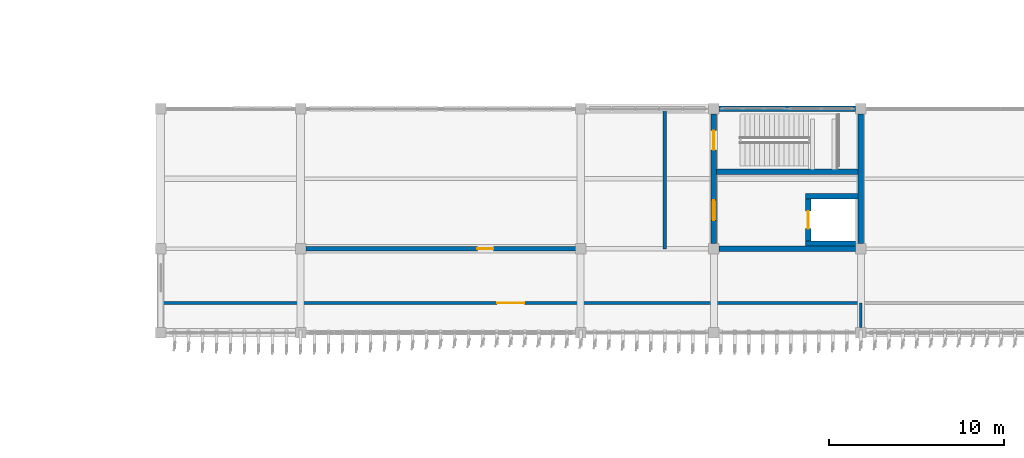
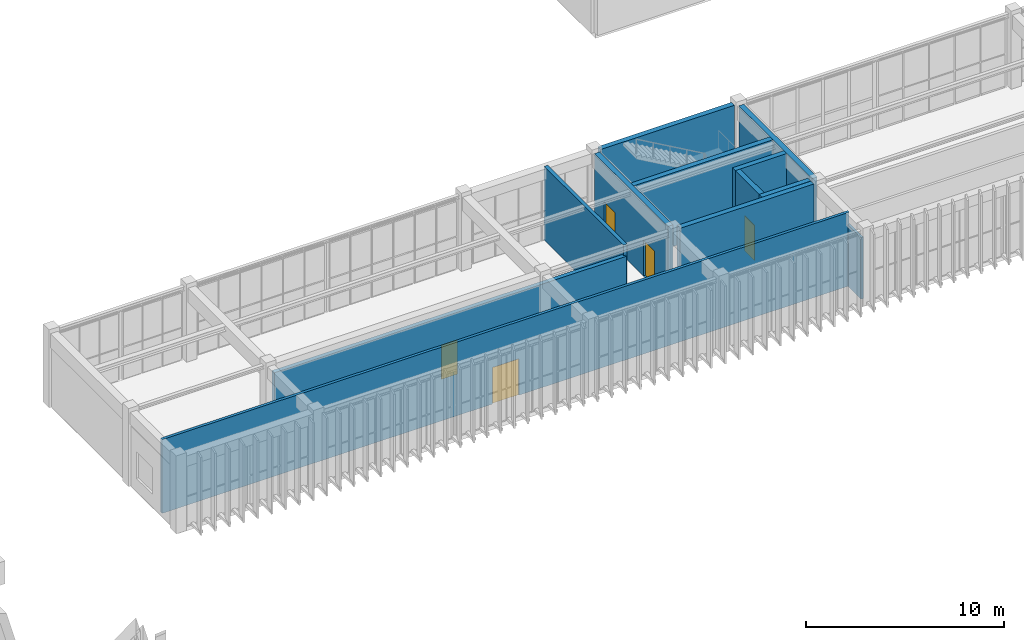
# One storey, part 41 of 64: 12 walls, 5 doors, 5 openings.
"""IFC4 building model written with IfcOpenShell, lengths in metres."""

from ifc_helpers import new_model, si_unit, direction, frame, frame_2d, origin, place, context, subcontext, project, spatial, rectangle, extrude, material, layer, layer_set, type_object, element, fill, save


model = new_model("IFC4")

# Units and contexts
model_context = context("Model", 3, precision=1e-05, world=origin(), true_north=direction((0.0, 1.0)))
body_context = subcontext(model_context, "Body", "Model", "MODEL_VIEW")
ifc_project = project(units=[si_unit("LENGTHUNIT", "METRE"), si_unit("AREAUNIT", "SQUARE_METRE"), si_unit("VOLUMEUNIT", "CUBIC_METRE"), si_unit("PLANEANGLEUNIT", "RADIAN"), si_unit("MASSUNIT", "GRAM", prefix="KILO")], contexts=[model_context])

# Site, building, storey
site_placement = place(None, origin())
site = spatial("IfcSite", under=ifc_project, at=site_placement, CompositionType="ELEMENT")
building_placement = place(site_placement, origin())
building = spatial("IfcBuilding", under=site, at=building_placement, Name="Cinchona Park Media Centre", CompositionType="ELEMENT")
storey_placement = place(building_placement, frame((0.0, 0.0, 5.39990234375)))
storey = spatial("IfcBuildingStorey", under=building, at=storey_placement, Name="L01", CompositionType="ELEMENT", Elevation=5.39990234375)

# Wall
ifc_material_1 = material(Name="Acoustic Double-Stud Gypsum Partition", Category="gypsum")
ifc_layer_1 = layer(ifc_material_1, 0.2099609375)
ifc_layer_set_1 = layer_set([ifc_layer_1], Name="Acoustic Double-Stud Gypsum Partition")
wall_type_1 = type_object("IfcWallType", Name="WALL-W-AC210", PredefinedType="PARTITIONING", material=ifc_layer_set_1)
wall_1_placement = place(storey_placement, frame((83.60009765625, 79.60009765625, 0.0), z_axis=(0.0, 0.0, 1.0), x_axis=(0.0, 1.0, 0.0)))
element("IfcWall", 1, at=wall_1_placement, inside=storey, type_object=wall_type_1, Name="Interior Wall W-AC210 L01", PredefinedType="PARTITIONING", context=body_context, shape_type="SweptSolid", body=[
    extrude(rectangle(XDim=8.0, YDim=0.2099609375, at=frame_2d((4.0, 0.0))), origin(), (0.0, 0.0, 1.0), 4.5400390625),
])

# Wall, opening, door
ifc_material_2 = material(Name="Acoustic Double-Stud Gypsum Partition", Category="gypsum")
ifc_layer_2 = layer(ifc_material_2, 0.239990234375)
ifc_layer_set_2 = layer_set([ifc_layer_2], Name="Acoustic Double-Stud Gypsum Partition")
wall_type_2 = type_object("IfcWallType", Name="WALL-W-AC240", PredefinedType="PARTITIONING", material=ifc_layer_set_2)
wall_2_placement = place(storey_placement, frame((63.10205078125, 79.60009765625, 0.0), z_axis=(0.0, 0.0, 1.0), x_axis=(1.0, 0.0, 0.0)))
wall_2 = element("IfcWall", 2, at=wall_2_placement, inside=storey, type_object=wall_type_2, Name="Interior Wall W-AC240 L01", PredefinedType="PARTITIONING", context=body_context, shape_type="SweptSolid", body=[
    extrude(rectangle(XDim=20.498046875, YDim=0.239990234375, at=frame_2d((10.2490234375, 0.0))), origin(), (0.0, 0.0, 1.0), 3.89013671875),
])
opening_1_placement = place(wall_2_placement, frame((9.7890625, 0.0, 0.0)))
opening_1 = element("IfcOpeningElement", 3, at=opening_1_placement, cuts=wall_2, Name="Opening D243", PredefinedType="OPENING", context=body_context, shape_type="SweptSolid", body=[
    extrude(rectangle(XDim=0.919921875, YDim=2.10009765625, at=frame_2d((0.4599609375, 1.050048828125))), frame((0.0, 0.1298828125, 0.0), z_axis=(0.0, -1.0, 0.0), x_axis=(1.0, 0.0, 0.0)), (0.0, 0.0, 1.0), 0.260009765625),
])
ifc_material_3 = material(Name="Solid-Core Timber Acoustic Door", Category="wood")
door_type_1 = type_object("IfcDoorType", Name="DOOR-DT01", OperationType="NOTDEFINED", PredefinedType="DOOR", material=ifc_material_3)
door_1_placement = place(opening_1_placement, origin())
door_1 = element("IfcDoor", 4, at=door_1_placement, inside=storey, type_object=door_type_1, Name="Interior Door D243", OperationType="SINGLE_SWING_LEFT", OverallHeight=2.10009765625, OverallWidth=0.919921875, PredefinedType="DOOR", context=body_context, shape_type="SweptSolid", body=[
    extrude(rectangle(XDim=0.919921875, YDim=2.10009765625, at=frame_2d((0.4599609375, 1.050048828125))), frame((0.0, 0.02490234375, 0.0), z_axis=(0.0, -1.0, 0.0), x_axis=(1.0, 0.0, 0.0)), (0.0, 0.0, 1.0), 0.050048828125),
])
fill(opening_1, door_1)

# Walls
ifc_material_4 = material(Name="Concrete C40/50", Category="concrete")
ifc_layer_3 = layer(ifc_material_4, 0.300048828125)
ifc_layer_set_3 = layer_set([ifc_layer_3], Name="Concrete C40/50")
wall_type_3 = type_object("IfcWallType", Name="WALL-W-CR300", PredefinedType="SHEAR", material=ifc_layer_set_3)
for number, where, z_axis, x_axis, name in (
    (5, (86.701904296875, 79.60009765625, 0.0), (0.0, 0.0, 1.0), (1.0, 0.0, 0.0), "Core Shear Wall W-CR300 L01"),
    (6, (86.701904296875, 87.60009765625, 0.0), (0.0, 0.0, 1.0), (1.0, 0.0, 0.0), "Core Shear Wall W-CR300 L01"),
):
    element("IfcWall", number, at=place(storey_placement, frame(where, z_axis=z_axis, x_axis=x_axis)), inside=storey, type_object=wall_type_3, Name=name, PredefinedType="SHEAR", context=body_context, shape_type="SweptSolid", body=[
        extrude(rectangle(XDim=7.796142578125, YDim=0.300048828125, at=frame_2d((3.89794921875, 0.0))), origin(), (0.0, 0.0, 1.0), 4.5400390625),
    ])

# Wall, openings, doors
wall_3_placement = place(storey_placement, frame((86.39990234375, 79.902099609375, 0.0), z_axis=(0.0, 0.0, 1.0), x_axis=(0.0, 1.0, 0.0)))
wall_3 = element("IfcWall", 7, at=wall_3_placement, inside=storey, type_object=wall_type_3, Name="Core Shear Wall W-CR300 L01", PredefinedType="SHEAR", context=body_context, shape_type="SweptSolid", body=[
    extrude(rectangle(XDim=7.39599609375, YDim=0.300048828125, at=frame_2d((3.697998046875, 0.0))), origin(), (0.0, 0.0, 1.0), 4.5400390625),
])
opening_2_placement = place(wall_3_placement, frame((5.347900390625, 0.0, 0.0)))
opening_2 = element("IfcOpeningElement", 8, at=opening_2_placement, cuts=wall_3, Name="Opening D068", PredefinedType="OPENING", context=body_context, shape_type="SweptSolid", body=[
    extrude(rectangle(XDim=1.10009765625, YDim=2.14990234375, at=frame_2d((0.550048828125, 1.074951171875))), frame((0.0, 0.159912109375, 0.0), z_axis=(0.0, -1.0, 0.0), x_axis=(1.0, 0.0, 0.0)), (0.0, 0.0, 1.0), 0.320068359375),
])
opening_3_placement = place(wall_3_placement, frame((1.322998046875, 0.0, 0.0)))
opening_3 = element("IfcOpeningElement", 9, at=opening_3_placement, cuts=wall_3, Name="Opening D069", PredefinedType="OPENING", context=body_context, shape_type="SweptSolid", body=[
    extrude(rectangle(XDim=1.14990234375, YDim=2.199951171875, at=frame_2d((0.574951171875, 1.10009765625))), frame((0.0, 0.159912109375, 0.0), z_axis=(0.0, -1.0, 0.0), x_axis=(1.0, 0.0, 0.0)), (0.0, 0.0, 1.0), 0.320068359375),
])
ifc_material_5 = material(Name="Insulated Fire-Rated Steel Door", Category="steel")
door_type_2 = type_object("IfcDoorType", Name="DOOR-DT-FF", OperationType="NOTDEFINED", PredefinedType="DOOR", material=ifc_material_5)
door_2_placement = place(opening_3_placement, origin())
door_2 = element("IfcDoor", 10, at=door_2_placement, inside=storey, type_object=door_type_2, Name="Interior Door D069", OperationType="SINGLE_SWING_LEFT", OverallHeight=2.199951171875, OverallWidth=1.14990234375, PredefinedType="DOOR", context=body_context, shape_type="SweptSolid", body=[
    extrude(rectangle(XDim=1.14990234375, YDim=2.199951171875, at=frame_2d((0.574951171875, 1.10009765625))), frame((0.0, 0.02490234375, 0.0), z_axis=(0.0, -1.0, 0.0), x_axis=(1.0, 0.0, 0.0)), (0.0, 0.0, 1.0), 0.050048828125),
])
fill(opening_3, door_2)
ifc_material_6 = material(Name="Insulated Fire-Rated Steel Door", Category="steel")
door_type_3 = type_object("IfcDoorType", Name="DOOR-DT-ST", OperationType="NOTDEFINED", PredefinedType="DOOR", material=ifc_material_6)
door_3_placement = place(opening_2_placement, origin())
door_3 = element("IfcDoor", 11, at=door_3_placement, inside=storey, type_object=door_type_3, Name="Interior Door D068", OperationType="SINGLE_SWING_RIGHT", OverallHeight=2.14990234375, OverallWidth=1.10009765625, PredefinedType="DOOR", context=body_context, shape_type="SweptSolid", body=[
    extrude(rectangle(XDim=1.10009765625, YDim=2.14990234375, at=frame_2d((0.550048828125, 1.074951171875))), frame((0.0, 0.02490234375, 0.0), z_axis=(0.0, -1.0, 0.0), x_axis=(1.0, 0.0, 0.0)), (0.0, 0.0, 1.0), 0.050048828125),
])
fill(opening_2, door_3)

# Walls
wall_4_placement = place(storey_placement, frame((94.800048828125, 79.902099609375, 0.0), z_axis=(0.0, 0.0, 1.0), x_axis=(0.0, 1.0, 0.0)))
element("IfcWall", 12, at=wall_4_placement, inside=storey, type_object=wall_type_3, Name="Core Shear Wall W-CR300 L01", PredefinedType="SHEAR", context=body_context, shape_type="SweptSolid", body=[
    extrude(rectangle(XDim=7.39599609375, YDim=0.300048828125, at=frame_2d((3.697998046875, 0.0))), origin(), (0.0, 0.0, 1.0), 4.5400390625),
])
wall_5_placement = place(storey_placement, frame((86.550048828125, 84.0, 0.0), z_axis=(0.0, 0.0, 1.0), x_axis=(1.0, 0.0, 0.0)))
element("IfcWall", 13, at=wall_5_placement, inside=storey, type_object=wall_type_3, Name="Core Shear Wall W-CR300 L01", PredefinedType="SHEAR", context=body_context, shape_type="SweptSolid", body=[
    extrude(rectangle(XDim=8.099853515625, YDim=0.300048828125, at=frame_2d((4.0498046875, 0.0))), origin(), (0.0, 0.0, 1.0), 4.5400390625),
])
ifc_material_7 = material(Name="Gypsum Metal-Stud Partition", Category="gypsum")
ifc_layer_4 = layer(ifc_material_7, 0.135009765625)
ifc_layer_set_4 = layer_set([ifc_layer_4], Name="Gypsum Metal-Stud Partition")
wall_type_4 = type_object("IfcWallType", Name="WALL-W-PT135", PredefinedType="PARTITIONING", material=ifc_layer_set_4)
wall_6_placement = place(storey_placement, frame((94.800048828125, 76.5, 0.0), z_axis=(0.0, 0.0, 1.0), x_axis=(0.0, -1.0, 0.0)))
element("IfcWall", 14, at=wall_6_placement, inside=storey, type_object=wall_type_4, Name="Interior Wall W-PT135 L01", PredefinedType="PARTITIONING", context=body_context, shape_type="SweptSolid", body=[
    extrude(rectangle(XDim=1.39794921875, YDim=0.135009765625, at=frame_2d((0.698974609375, 0.0))), origin(), (0.0, 0.0, 1.0), 3.7900390625),
])

# Wall, opening, door
ifc_material_8 = material(Name="Fire-Rated Gypsum Stud Partition", Category="gypsum")
ifc_layer_5 = layer(ifc_material_8, 0.1650390625)
ifc_layer_set_5 = layer_set([ifc_layer_5], Name="Fire-Rated Gypsum Stud Partition")
wall_type_5 = type_object("IfcWallType", Name="WALL-W-PT165", PredefinedType="PARTITIONING", material=ifc_layer_set_5)
wall_7_placement = place(storey_placement, frame((94.800048828125, 76.5, 0.0), z_axis=(0.0, 0.0, 1.0), x_axis=(-1.0, 0.0, 0.0)))
wall_7 = element("IfcWall", 15, at=wall_7_placement, inside=storey, type_object=wall_type_5, Name="Interior Wall W-PT165 L01", PredefinedType="PARTITIONING", context=body_context, shape_type="SweptSolid", body=[
    extrude(rectangle(XDim=40.0, YDim=0.1650390625, at=frame_2d((20.0, 0.0))), origin(), (0.0, 0.0, 1.0), 4.5400390625),
])
opening_4_placement = place(wall_7_placement, frame((19.22509765625, 0.0, 0.0)))
opening_4 = element("IfcOpeningElement", 16, at=opening_4_placement, cuts=wall_7, Name="Opening D241", PredefinedType="OPENING", context=body_context, shape_type="SweptSolid", body=[
    extrude(rectangle(XDim=1.550048828125, YDim=2.25, at=frame_2d((0.77490234375, 1.125))), frame((0.0, 0.092529296875, 0.0), z_axis=(0.0, -1.0, 0.0), x_axis=(1.0, 0.0, 0.0)), (0.0, 0.0, 1.0), 0.18505859375),
])
ifc_material_9 = material(Name="Solid-Core Timber Acoustic Door", Category="wood")
door_type_4 = type_object("IfcDoorType", Name="DOOR-DT16", OperationType="NOTDEFINED", PredefinedType="DOOR", material=ifc_material_9)
door_4_placement = place(opening_4_placement, origin())
door_4 = element("IfcDoor", 17, at=door_4_placement, inside=storey, type_object=door_type_4, Name="Interior Door D241", OperationType="SINGLE_SWING_LEFT", OverallHeight=2.25, OverallWidth=1.550048828125, PredefinedType="DOOR", context=body_context, shape_type="SweptSolid", body=[
    extrude(rectangle(XDim=1.550048828125, YDim=2.25, at=frame_2d((0.77490234375, 1.125))), frame((0.0, 0.02490234375, 0.0), z_axis=(0.0, -1.0, 0.0), x_axis=(1.0, 0.0, 0.0)), (0.0, 0.0, 1.0), 0.050048828125),
])
fill(opening_4, door_4)

# Walls
ifc_material_10 = material(Name="Concrete C40/50", Category="concrete")
ifc_layer_6 = layer(ifc_material_10, 0.2900390625)
ifc_layer_set_6 = layer_set([ifc_layer_6], Name="Concrete C40/50")
wall_type_6 = type_object("IfcWallType", Name="WALL-W-SH290", PredefinedType="SHEAR", material=ifc_layer_set_6)
wall_8_placement = place(storey_placement, frame((91.655029296875, 79.89990234375, 0.0), z_axis=(0.0, 0.0, 1.0), x_axis=(1.0, 0.0, 0.0)))
element("IfcWall", 18, at=wall_8_placement, inside=storey, type_object=wall_type_6, Name="Core Shear Wall W-SH290 L01", PredefinedType="SHEAR", context=body_context, shape_type="SweptSolid", body=[
    extrude(rectangle(XDim=2.843017578125, YDim=0.2900390625, at=frame_2d((1.42138671875, 0.0))), origin(), (0.0, 0.0, 1.0), 4.5400390625),
])
wall_9_placement = place(storey_placement, frame((91.655029296875, 82.60009765625, 0.0), z_axis=(0.0, 0.0, 1.0), x_axis=(1.0, 0.0, 0.0)))
element("IfcWall", 19, at=wall_9_placement, inside=storey, type_object=wall_type_6, Name="Core Shear Wall W-SH290 L01", PredefinedType="SHEAR", context=body_context, shape_type="SweptSolid", body=[
    extrude(rectangle(XDim=2.989990234375, YDim=0.2900390625, at=frame_2d((1.4951171875, 0.0))), origin(), (0.0, 0.0, 1.0), 4.5400390625),
])

# Wall, opening, door
wall_10_placement = place(storey_placement, frame((91.800048828125, 80.044921875, 0.0), z_axis=(0.0, 0.0, 1.0), x_axis=(0.0, 1.0, 0.0)))
wall_10 = element("IfcWall", 20, at=wall_10_placement, inside=storey, type_object=wall_type_6, Name="Core Shear Wall W-SH290 L01", PredefinedType="SHEAR", context=body_context, shape_type="SweptSolid", body=[
    extrude(rectangle(XDim=2.41015625, YDim=0.2900390625, at=frame_2d((1.205078125, 0.0))), origin(), (0.0, 0.0, 1.0), 4.5400390625),
])
opening_5_placement = place(wall_10_placement, frame((0.705078125, 0.0, 0.0)))
opening_5 = element("IfcOpeningElement", 21, at=opening_5_placement, cuts=wall_10, Name="Opening LD19", PredefinedType="OPENING", context=body_context, shape_type="SweptSolid", body=[
    extrude(rectangle(XDim=1.0, YDim=2.14990234375, at=frame_2d((0.5, 1.074951171875))), frame((0.0, 0.155029296875, 0.0), z_axis=(0.0, -1.0, 0.0), x_axis=(1.0, 0.0, 0.0)), (0.0, 0.0, 1.0), 0.31005859375),
])
ifc_material_11 = material(Name="Stainless Steel Sliding Lift Landing Door", Category="steel")
door_type_5 = type_object("IfcDoorType", Name="DOOR-DT-LD2", OperationType="NOTDEFINED", PredefinedType="DOOR", material=ifc_material_11)
door_5_placement = place(opening_5_placement, origin())
door_5 = element("IfcDoor", 22, at=door_5_placement, inside=storey, type_object=door_type_5, Name="Lift Landing Door LD19", OperationType="SLIDING_TO_LEFT", OverallHeight=2.14990234375, OverallWidth=1.0, PredefinedType="DOOR", context=body_context, shape_type="SweptSolid", body=[
    extrude(rectangle(XDim=1.0, YDim=2.14990234375, at=frame_2d((0.5, 1.074951171875))), frame((0.0, 0.02490234375, 0.0), z_axis=(0.0, -1.0, 0.0), x_axis=(1.0, 0.0, 0.0)), (0.0, 0.0, 1.0), 0.050048828125),
])
fill(opening_5, door_5)

save(model, "model.ifc")
